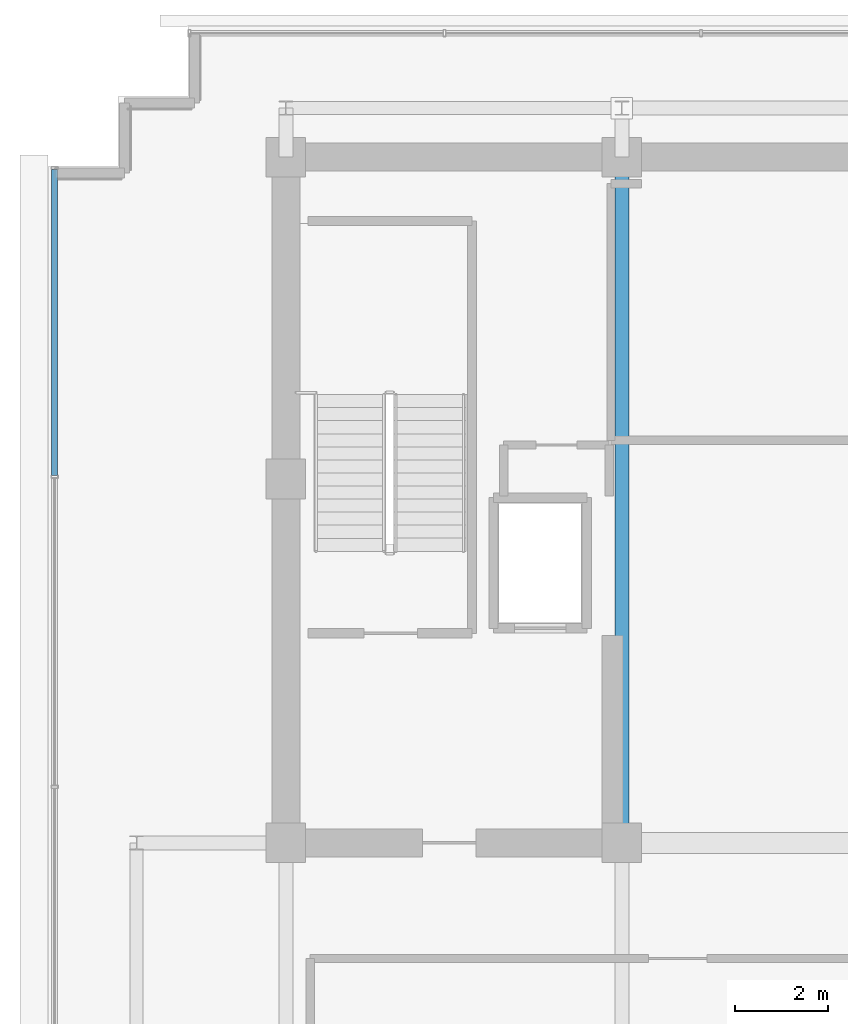
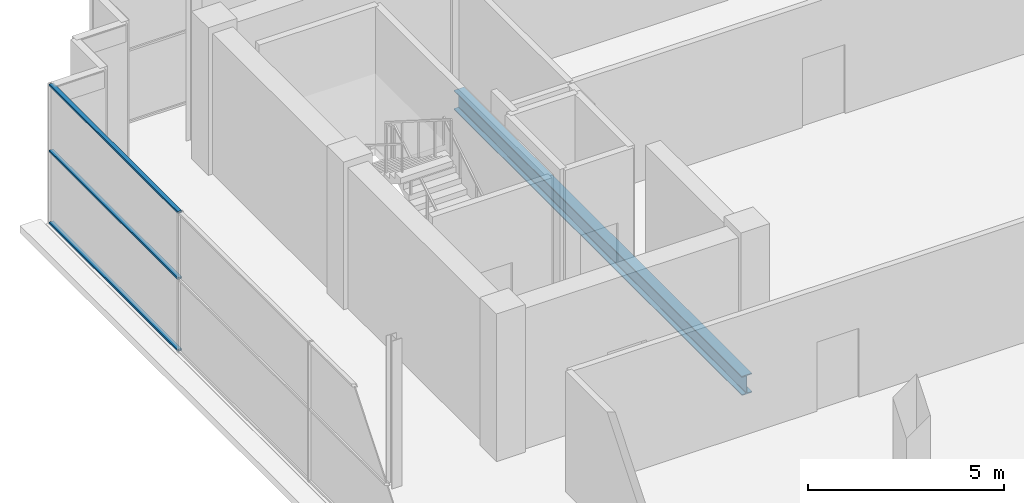
# One storey, part 12 of 26: 3 members, 1 beam, 1 element without a shape of its own.
"""IFC4 building model written with IfcOpenShell, lengths in metres."""

import ifcopenshell
import ifcopenshell.guid

model = None  # the IFC model being written
_history = None  # IfcOwnerHistory: only IFC2X3 demands one
_inside = {}  # id of a spatial element -> (the spatial element, [elements in it])
_under = {}  # id of a project, library or spatial element -> (it, [spatial elements below it])
_declared = {}  # id of a project -> (the project, [libraries it declares])
_typed = {}  # id of a type object -> (the type object, [elements of that type])
_made_of = {}  # id of a material, layer set ... -> (it, [elements and type objects made of it])


def new_model(schema):
    """Start an empty IFC model of exactly this schema.

    Asked for "IFC4X3", IfcOpenShell would pick the latest addendum, in which some entities
    have other attributes; the version numbers below select the first issue.
    IFC2X3 requires an IfcOwnerHistory on every rooted entity: one is made here for all.
    """
    global model, _history
    if schema == "IFC4X3":
        model = ifcopenshell.file(schema_version=(4, 3, 0, 0))
    else:
        model = ifcopenshell.file(schema=schema)
    _inside.clear()
    _under.clear()
    _declared.clear()
    _typed.clear()
    _made_of.clear()
    _history = None
    if model.schema == "IFC2X3":
        org = make("IfcOrganization", Name="unknown")
        user = make(
            "IfcPersonAndOrganization",
            ThePerson=make("IfcPerson", FamilyName="unknown"),
            TheOrganization=org,
        )
        app = make(
            "IfcApplication",
            ApplicationDeveloper=org,
            Version="unknown",
            ApplicationFullName="unknown",
            ApplicationIdentifier="unknown",
        )
        _history = make(
            "IfcOwnerHistory",
            OwningUser=user,
            OwningApplication=app,
            ChangeAction="ADDED",
            CreationDate=0,
        )
    return model


def make(cls, **values):
    """One entity of the class cls with the attributes given. An attribute that is None is left unset."""
    return model.create_entity(
        cls, **{name: value for name, value in values.items() if value is not None}
    )


def rooted(cls, **values):
    """An entity with a GlobalId (a new one), such as an element, a storey or a relation."""
    return make(cls, GlobalId=ifcopenshell.guid.new(), OwnerHistory=_history, **values)


def si_unit(unit_type, name, prefix=None):
    """IfcSIUnit, for example si_unit("LENGTHUNIT", "METRE", prefix="MILLI")."""
    return make("IfcSIUnit", UnitType=unit_type, Prefix=prefix, Name=name)


def assignment(units):
    """IfcUnitAssignment: the units of a project."""
    return None if units is None else make("IfcUnitAssignment", Units=units)


def point(xyz):
    """IfcCartesianPoint."""
    return None if xyz is None else make("IfcCartesianPoint", Coordinates=xyz)


def direction(xyz):
    """IfcDirection."""
    return None if xyz is None else make("IfcDirection", DirectionRatios=xyz)


def frame(location, z_axis=None, x_axis=None):
    """IfcAxis2Placement3D, a coordinate frame: its origin and axes. An axis left out is left unset."""
    return make(
        "IfcAxis2Placement3D",
        Location=point(location),
        Axis=direction(z_axis),
        RefDirection=direction(x_axis),
    )


def frame_2d(location, x_axis=None):
    """IfcAxis2Placement2D, a coordinate frame in the plane: its origin and x axis."""
    return make(
        "IfcAxis2Placement2D", Location=point(location), RefDirection=direction(x_axis)
    )


def origin():
    """The frame at (0, 0, 0) with its axes left unset."""
    return frame((0.0, 0.0, 0.0))


def origin_2d():
    """The frame at (0, 0) in the plane with its x axis left unset."""
    return frame_2d((0.0, 0.0))


def place(relative_to, where):
    """IfcLocalPlacement: puts the frame where relative to a parent placement (None: the world)."""
    return make(
        "IfcLocalPlacement", PlacementRelTo=relative_to, RelativePlacement=where
    )


def context(
    kind, dimensions, precision=None, world=None, true_north=None, identifier=None
):
    """IfcGeometricRepresentationContext, for example the 3D "Model" context."""
    return make(
        "IfcGeometricRepresentationContext",
        ContextIdentifier=identifier,
        ContextType=kind,
        CoordinateSpaceDimension=dimensions,
        Precision=precision,
        WorldCoordinateSystem=world,
        TrueNorth=true_north,
    )


def subcontext(parent, identifier, kind, view, scale=None):
    """IfcGeometricRepresentationSubContext, for example "Body" below "Model"."""
    return make(
        "IfcGeometricRepresentationSubContext",
        ContextIdentifier=identifier,
        ContextType=kind,
        ParentContext=parent,
        TargetScale=scale,
        TargetView=view,
    )


def project(units=None, contexts=None):
    """IfcProject with its units and contexts."""
    return rooted(
        "IfcProject",
        Name="project",
        RepresentationContexts=contexts,
        UnitsInContext=assignment(units),
    )


def spatial(cls, under=None, at=None, **own):
    """A site, building, storey or space (cls), placed at a placement, below another one or the project."""
    s = rooted(cls, ObjectPlacement=at, **own)
    if under is not None:
        _under.setdefault(under.id(), (under, []))[1].append(s)
    return s


def profile(cls, at=None, kind="AREA", **sizes):
    """A parametric profile (cls). Its sizes go by their IFC names, for example OverallWidth=200.0."""
    return make(cls, ProfileType=kind, Position=at, **sizes)


def hollow_rectangle(**sizes):
    """IfcRectangleHollowProfileDef."""
    return profile("IfcRectangleHollowProfileDef", **sizes)


def i_section(**sizes):
    """IfcIShapeProfileDef."""
    return profile("IfcIShapeProfileDef", **sizes)


def extrude(swept, where, along, depth):
    """IfcExtrudedAreaSolid: the profile swept, set in the frame where, extruded along a direction by depth."""
    return make(
        "IfcExtrudedAreaSolid",
        SweptArea=swept,
        Position=where,
        ExtrudedDirection=direction(along),
        Depth=depth,
    )


def shape(context_of_items, identifier, shape_type, items):
    """IfcShapeRepresentation: the items that make up one representation, for example the "Body"."""
    return make(
        "IfcShapeRepresentation",
        ContextOfItems=context_of_items,
        RepresentationIdentifier=identifier,
        RepresentationType=shape_type,
        Items=items,
    )


def source(mapping_origin, context_of_items, identifier, shape_type, items):
    """IfcRepresentationMap: a shape defined once, which mapped items show again and again."""
    return make(
        "IfcRepresentationMap",
        MappingOrigin=mapping_origin,
        MappedRepresentation=shape(context_of_items, identifier, shape_type, items),
    )


def transform(
    local_origin,
    x_axis=None,
    y_axis=None,
    z_axis=None,
    scale=None,
    scale2=None,
    scale3=None,
    uniform=True,
):
    """IfcCartesianTransformationOperator3D, or its non-uniform kind. x_axis, y_axis, z_axis: its Axis1, 2, 3."""
    if uniform:
        return make(
            "IfcCartesianTransformationOperator3D",
            Axis1=direction(x_axis),
            Axis2=direction(y_axis),
            LocalOrigin=point(local_origin),
            Scale=scale,
            Axis3=direction(z_axis),
        )
    return make(
        "IfcCartesianTransformationOperator3DnonUniform",
        Axis1=direction(x_axis),
        Axis2=direction(y_axis),
        LocalOrigin=point(local_origin),
        Scale=scale,
        Axis3=direction(z_axis),
        Scale2=scale2,
        Scale3=scale3,
    )


def mapped(mapping_source, mapping_target):
    """IfcMappedItem: shows the shape of a source again, moved by a transform."""
    return make(
        "IfcMappedItem", MappingSource=mapping_source, MappingTarget=mapping_target
    )


def material(Name=None, Category=None):
    """IfcMaterial."""
    return make("IfcMaterial", Name=Name, Category=Category)


def layer(
    of_material, thickness, ventilated=None, Name=None, Category=None, Priority=None
):
    """IfcMaterialLayer: one layer of a wall or slab, of a material (None: an air gap)."""
    return make(
        "IfcMaterialLayer",
        Material=of_material,
        LayerThickness=thickness,
        IsVentilated=ventilated,
        Name=Name,
        Category=Category,
        Priority=Priority,
    )


def layer_set(layers, Name=None):
    """IfcMaterialLayerSet."""
    return make("IfcMaterialLayerSet", MaterialLayers=layers, LayerSetName=Name)


def material_profile(
    of_material, cross_section, Name=None, Category=None, Priority=None
):
    """IfcMaterialProfile: a cross section and its material."""
    return make(
        "IfcMaterialProfile",
        Name=Name,
        Material=of_material,
        Profile=cross_section,
        Priority=Priority,
        Category=Category,
    )


def profile_set(profiles, Name=None, composite=None):
    """IfcMaterialProfileSet."""
    return make(
        "IfcMaterialProfileSet",
        Name=Name,
        MaterialProfiles=profiles,
        CompositeProfile=composite,
    )


def made_of(thing, what):
    """Note that an element or type object is made of a material, layer set ...; save() writes the relation."""
    if what is not None:
        _made_of.setdefault(what.id(), (what, []))[1].append(thing)
    return thing


def type_object(cls, material=None, **own):
    """A type object (cls), such as IfcWallType, which elements share."""
    return made_of(rooted(cls, **own), material)


def element(
    cls,
    number,
    at=None,
    inside=None,
    cuts=None,
    type_object=None,
    material=None,
    context=None,
    identifier="Body",
    shape_type=None,
    held_by="IfcProductDefinitionShape",
    body=None,
    shapes=None,
    **own,
):
    """One element of the class cls, such as IfcWall. Its Tag is "e" and its number.

    at: its placement. inside: the storey or other place that contains it. cuts: it is an
    opening in that element (IfcRelVoidsElement). A single representation is given by context,
    identifier, shape_type and body (its items); several are given by shapes. held_by: the class
    of the entity that holds the representations. save() writes the other relations.
    """
    e = rooted(cls, Tag="e%d" % number, ObjectPlacement=at, **own)
    if body is not None:
        shapes = [shape(context, identifier, shape_type, body)]
    if shapes is not None:
        e.Representation = make(held_by, Representations=shapes)
    if inside is not None:
        _inside.setdefault(inside.id(), (inside, []))[1].append(e)
    if cuts is not None:
        rooted(
            "IfcRelVoidsElement", RelatingBuildingElement=cuts, RelatedOpeningElement=e
        )
    if type_object is not None:
        _typed.setdefault(type_object.id(), (type_object, []))[1].append(e)
    return made_of(e, material)


def aggregate(whole, parts):
    """IfcRelAggregates: a whole, such as a stair, and the parts it consists of."""
    return rooted("IfcRelAggregates", RelatingObject=whole, RelatedObjects=parts)


def save(model, path):
    """Write the relations noted so far, then the file.

    IfcRelAggregates (storeys below a building ...), IfcRelContainedInSpatialStructure (elements
    in a storey), IfcRelDefinesByType, IfcRelAssociatesMaterial and IfcRelDeclares: one each for
    every whole, place, type object, material and project.
    """
    for whole, parts in _under.values():
        aggregate(whole, parts)
    for where, things in _inside.values():
        rooted(
            "IfcRelContainedInSpatialStructure",
            RelatedElements=things,
            RelatingStructure=where,
        )
    for kind, things in _typed.values():
        rooted("IfcRelDefinesByType", RelatedObjects=things, RelatingType=kind)
    for what, things in _made_of.values():
        rooted("IfcRelAssociatesMaterial", RelatedObjects=things, RelatingMaterial=what)
    for by, libraries in _declared.values():
        rooted("IfcRelDeclares", RelatingContext=by, RelatedDefinitions=libraries)
    model.write(path)


model = new_model("IFC4")

# Units and contexts
model_context = context("Model", 3, precision=1e-05, world=origin(), true_north=direction((0.0, 1.0)))
body_context = subcontext(model_context, "Body", "Model", "MODEL_VIEW")
ifc_project = project(units=[si_unit("LENGTHUNIT", "METRE"), si_unit("AREAUNIT", "SQUARE_METRE"), si_unit("VOLUMEUNIT", "CUBIC_METRE"), si_unit("PLANEANGLEUNIT", "RADIAN"), si_unit("MASSUNIT", "GRAM", prefix="KILO")], contexts=[model_context])

# Site, building, storey
site_placement = place(None, origin())
site = spatial("IfcSite", under=ifc_project, at=site_placement, CompositionType="ELEMENT")
building_placement = place(site_placement, origin())
building = spatial("IfcBuilding", under=site, at=building_placement, Name="Zarnakvel Exchange Tower", CompositionType="ELEMENT")
storey_placement = place(building_placement, frame((0.0, 0.0, 280.800048828125)))
storey = spatial("IfcBuildingStorey", under=building, at=storey_placement, Name="Crown L79", CompositionType="ELEMENT", Elevation=280.800048828125)

# Beam
ifc_material_1 = material(Name="Steel S355", Category="steel")
ifc_material_profile_1 = material_profile(ifc_material_1, i_section(OverallWidth=0.300048828125, OverallDepth=0.60009765625, WebThickness=0.015380859375, FlangeThickness=0.030029296875, FilletRadius=0.027099609375, at=origin_2d()))
ifc_profile_set_1 = profile_set([ifc_material_profile_1], Name="Steel S355")
beam_type = type_object("IfcBeamType", Name="G-04", PredefinedType="BEAM", material=ifc_profile_set_1)
beam_placement = place(storey_placement, frame((-7.199951171875, -1.199951171875, -0.52001953125), z_axis=(0.0, 1.0, 0.0), x_axis=(-1.0, 0.0, 0.0)))
element("IfcBeam", 1, at=beam_placement, inside=storey, type_object=beam_type, Name="Crown L79 Tower N-S Frame Beam", PredefinedType="BEAM", context=body_context, shape_type="SweptSolid", body=[
    extrude(i_section(OverallWidth=0.300048828125, OverallDepth=0.60009765625, WebThickness=0.015380859375, FlangeThickness=0.030029296875, FilletRadius=0.027099609375, at=origin_2d()), origin(), (0.0, 0.0, 1.0), 14.699951171875),
])

# Curtain wall, members
ifc_material_2 = material(Name="Architectural Bronze Anodised Aluminium", Category="aluminium")
ifc_layer = layer(ifc_material_2, 0.14990234375)
ifc_layer_set = layer_set([ifc_layer], Name="Architectural Bronze Anodised Aluminium")
curtain_wall_type = type_object("IfcCurtainWallType", Name="CW-07", PredefinedType="NOTDEFINED", material=ifc_layer_set)
curtain_wall_placement = place(storey_placement, origin())
curtain_wall = element("IfcCurtainWall", 2, at=curtain_wall_placement, inside=storey, type_object=curtain_wall_type, Name="Crown L79 Curtain Wall CW-Crown L79-W (CW-07)", PredefinedType="NOTDEFINED")
ifc_material_profile_2 = material_profile(ifc_material_2, hollow_rectangle(XDim=0.1201171875, YDim=0.06005859375, WallThickness=0.00390625, at=origin_2d()))
ifc_profile_set_2 = profile_set([ifc_material_profile_2], Name="Architectural Bronze Anodised Aluminium")
member_type = type_object("IfcMemberType", Name="CWT-07", PredefinedType="USERDEFINED", material=ifc_profile_set_2)
shared_shape = source(origin(), body_context, "Body", "SweptSolid", [
    extrude(hollow_rectangle(XDim=0.1201171875, YDim=0.06005859375, WallThickness=0.00390625, at=origin_2d()), origin(), (0.0, 0.0, 1.0), 6.56005859375),
])
member_1_placement = place(storey_placement, frame((-19.360107421875, 6.679931640625, 0.030029296875), z_axis=(0.0, 1.0, 0.0), x_axis=(-1.0, 0.0, 0.0)))
member_1 = element("IfcMember", 3, at=member_1_placement, type_object=member_type, Name="CW-07 transom 4.1", ObjectType="TRANSOM", PredefinedType="USERDEFINED", context=body_context, shape_type="MappedRepresentation", body=[
    mapped(shared_shape, transform((0.0, 0.0, 0.0), x_axis=(1.0, 0.0, 0.0), y_axis=(0.0, 1.0, 0.0), z_axis=(0.0, 0.0, 1.0), scale=1.0)),
])
member_2_placement = place(storey_placement, frame((-19.360107421875, 6.679931640625, 2.26708984375), z_axis=(0.0, 1.0, 0.0), x_axis=(-1.0, 0.0, 0.0)))
member_2 = element("IfcMember", 4, at=member_2_placement, type_object=member_type, Name="CW-07 transom 4.2", ObjectType="TRANSOM", PredefinedType="USERDEFINED", context=body_context, shape_type="MappedRepresentation", body=[
    mapped(shared_shape, transform((0.0, 0.0, 0.0), x_axis=(1.0, 0.0, 0.0), y_axis=(0.0, 1.0, 0.0), z_axis=(0.0, 0.0, 1.0), scale=1.0)),
])
member_3_placement = place(storey_placement, frame((-19.360107421875, 6.679931640625, 4.329833984375), z_axis=(0.0, 1.0, 0.0), x_axis=(-1.0, 0.0, 0.0)))
member_3 = element("IfcMember", 5, at=member_3_placement, type_object=member_type, Name="CW-07 transom 4.3", ObjectType="TRANSOM", PredefinedType="USERDEFINED", context=body_context, shape_type="MappedRepresentation", body=[
    mapped(shared_shape, transform((0.0, 0.0, 0.0), x_axis=(1.0, 0.0, 0.0), y_axis=(0.0, 1.0, 0.0), z_axis=(0.0, 0.0, 1.0), scale=1.0)),
])
aggregate(curtain_wall, [member_1, member_2, member_3])

save(model, "model.ifc")
